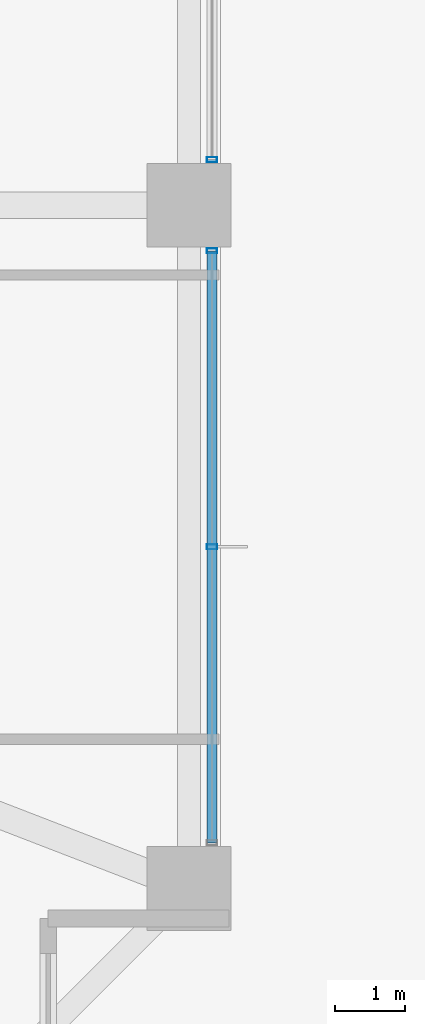
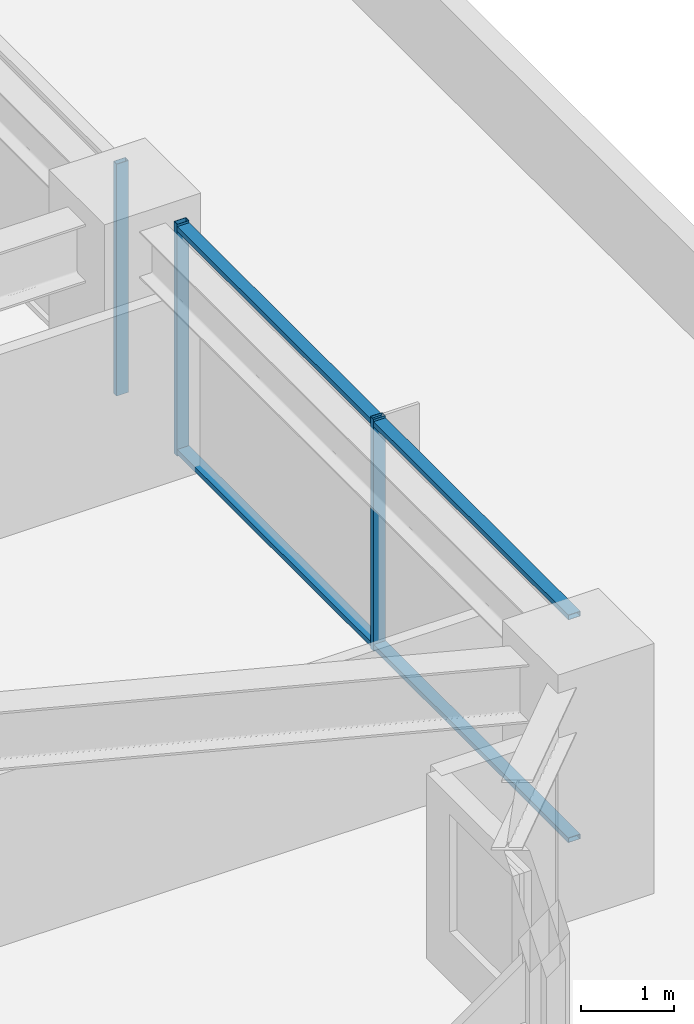
# One storey, part 14 of 36: 5 members, 2 elements without a shape of their own.
"""IFC4 building model written with IfcOpenShell, lengths in metres."""

from ifc_helpers import new_model, si_unit, direction, frame, origin, origin_2d, place, context, subcontext, project, spatial, hollow_rectangle, extrude, material, material_profile, profile_set, type_object, element, aggregate, save


model = new_model("IFC4")

# Units and contexts
model_context = context("Model", 3, precision=1e-05, world=origin(), true_north=direction((0.0, 1.0)))
body_context = subcontext(model_context, "Body", "Model", "MODEL_VIEW")
ifc_project = project(units=[si_unit("LENGTHUNIT", "METRE"), si_unit("AREAUNIT", "SQUARE_METRE"), si_unit("VOLUMEUNIT", "CUBIC_METRE"), si_unit("PLANEANGLEUNIT", "RADIAN"), si_unit("MASSUNIT", "GRAM", prefix="KILO")], contexts=[model_context])

# Site, building, storey
site_placement = place(None, origin())
site = spatial("IfcSite", under=ifc_project, at=site_placement, CompositionType="ELEMENT")
building_placement = place(site_placement, origin())
building = spatial("IfcBuilding", under=site, at=building_placement, Name="Kolvaren Belvedere", CompositionType="ELEMENT")
storey_placement = place(building_placement, frame((0.0, 0.0, 23.800048828125)))
storey = spatial("IfcBuildingStorey", under=building, at=storey_placement, Name="L06", CompositionType="ELEMENT", Elevation=23.800048828125)

# Curtain wall, member
ifc_material_1 = material(Name="Anodised pale-metal aluminium AA 6063-T6", Category="aluminium")
curtain_wall_type = type_object("IfcCurtainWallType", Name="CW-Z1-LOW", PredefinedType="NOTDEFINED", material=ifc_material_1)
curtain_wall_1_placement = place(storey_placement, origin())
curtain_wall_1 = element("IfcCurtainWall", 1, at=curtain_wall_1_placement, inside=storey, type_object=curtain_wall_type, Name="L06 Unitised Curtain Wall FCW-L06-E-B2", PredefinedType="NOTDEFINED")
ifc_material_2 = material(Name="Anodised pale-metal aluminium AA 6063-T6", Category="aluminium")
ifc_material_profile_1 = material_profile(ifc_material_2, hollow_rectangle(XDim=0.070068359375, YDim=0.14990234375, WallThickness=0.004150390625, at=origin_2d()), Name="ALU-MUL-150X70")
ifc_profile_set_1 = profile_set([ifc_material_profile_1], Name="Anodised pale-metal aluminium AA 6063-T6")
member_type_1 = type_object("IfcMemberType", Name="CW-MUL-150", PredefinedType="MULLION", material=ifc_profile_set_1)
member_1_placement = place(storey_placement, frame((21.8798828125, -3.945068359375, 0.0), z_axis=(0.0, 0.0, 1.0), x_axis=(0.0, 1.0, 0.0)))
member_1 = element("IfcMember", 2, at=member_1_placement, type_object=member_type_1, Name="FCW-L06-E-B2 Unitised Mullion 3", PredefinedType="MULLION", context=body_context, shape_type="SweptSolid", body=[
    extrude(hollow_rectangle(XDim=0.070068359375, YDim=0.14990234375, WallThickness=0.004150390625, at=origin_2d()), origin(), (0.0, 0.0, 1.0), 3.06005859375),
])
aggregate(curtain_wall_1, [member_1])

# Curtain wall, members
curtain_wall_2_placement = place(storey_placement, origin())
curtain_wall_2 = element("IfcCurtainWall", 3, at=curtain_wall_2_placement, inside=storey, type_object=curtain_wall_type, Name="L06 Unitised Curtain Wall FCW-L06-E-B3", PredefinedType="NOTDEFINED")
member_2_placement = place(storey_placement, frame((21.8798828125, -5.2548828125, 0.0), z_axis=(0.0, 0.0, 1.0), x_axis=(0.0, 1.0, 0.0)))
member_2 = element("IfcMember", 4, at=member_2_placement, type_object=member_type_1, Name="FCW-L06-E-B3 Unitised Mullion 1", PredefinedType="MULLION", context=body_context, shape_type="SweptSolid", body=[
    extrude(hollow_rectangle(XDim=0.070068359375, YDim=0.14990234375, WallThickness=0.004150390625, at=origin_2d()), origin(), (0.0, 0.0, 1.0), 3.06005859375),
])
member_3_placement = place(storey_placement, frame((21.8798828125, -9.5, 0.0), z_axis=(0.0, 0.0, 1.0), x_axis=(0.0, 1.0, 0.0)))
member_3 = element("IfcMember", 5, at=member_3_placement, type_object=member_type_1, Name="FCW-L06-E-B3 Unitised Mullion 2", PredefinedType="MULLION", context=body_context, shape_type="SweptSolid", body=[
    extrude(hollow_rectangle(XDim=0.070068359375, YDim=0.14990234375, WallThickness=0.004150390625, at=origin_2d()), origin(), (0.0, 0.0, 1.0), 3.06005859375),
])
ifc_material_3 = material(Name="Anodised pale-metal aluminium AA 6063-T6", Category="aluminium")
ifc_material_profile_2 = material_profile(ifc_material_3, hollow_rectangle(XDim=0.06494140625, YDim=0.14990234375, WallThickness=0.00390625, at=origin_2d()), Name="ALU-TRN-150X65")
ifc_profile_set_2 = profile_set([ifc_material_profile_2], Name="Anodised pale-metal aluminium AA 6063-T6")
member_type_2 = type_object("IfcMemberType", Name="CW-TRN-150", PredefinedType="USERDEFINED", material=ifc_profile_set_2)
member_4_placement = place(storey_placement, frame((21.8798828125, -5.2548828125, 0.06005859375), z_axis=(0.0, -1.0, 0.0), x_axis=(0.0, 0.0, 1.0)))
member_4 = element("IfcMember", 6, at=member_4_placement, type_object=member_type_2, Name="FCW-L06-E-B3 Sill Transom", ObjectType="TRANSOM", PredefinedType="USERDEFINED", context=body_context, shape_type="SweptSolid", body=[
    extrude(hollow_rectangle(XDim=0.06494140625, YDim=0.14990234375, WallThickness=0.00390625, at=origin_2d()), origin(), (0.0, 0.0, 1.0), 8.490234375),
])
member_5_placement = place(storey_placement, frame((21.8798828125, -5.2548828125, 3.0), z_axis=(0.0, -1.0, 0.0), x_axis=(0.0, 0.0, 1.0)))
member_5 = element("IfcMember", 7, at=member_5_placement, type_object=member_type_2, Name="FCW-L06-E-B3 Head Transom", ObjectType="TRANSOM", PredefinedType="USERDEFINED", context=body_context, shape_type="SweptSolid", body=[
    extrude(hollow_rectangle(XDim=0.06494140625, YDim=0.14990234375, WallThickness=0.00390625, at=origin_2d()), origin(), (0.0, 0.0, 1.0), 8.490234375),
])
aggregate(curtain_wall_2, [member_2, member_3, member_4, member_5])

save(model, "model.ifc")
